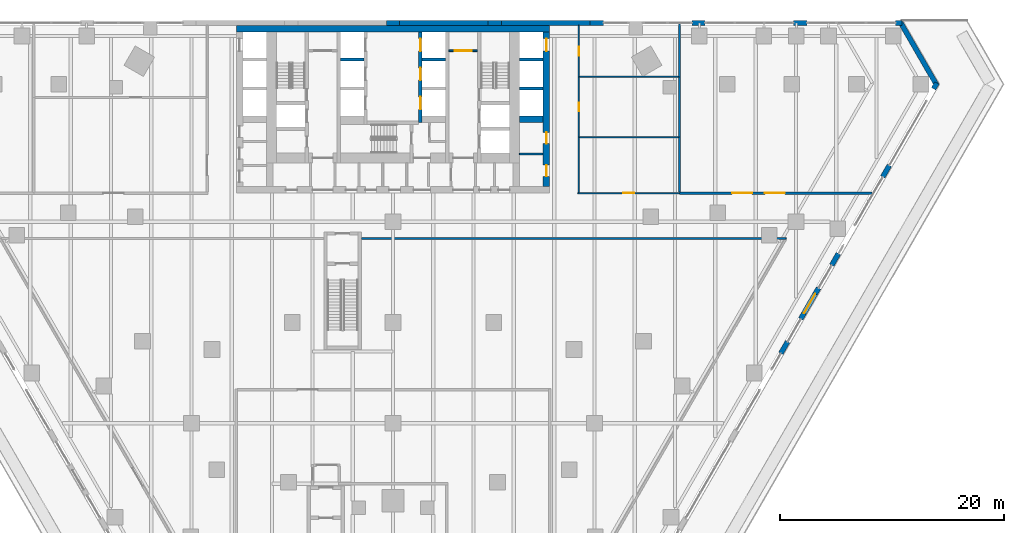
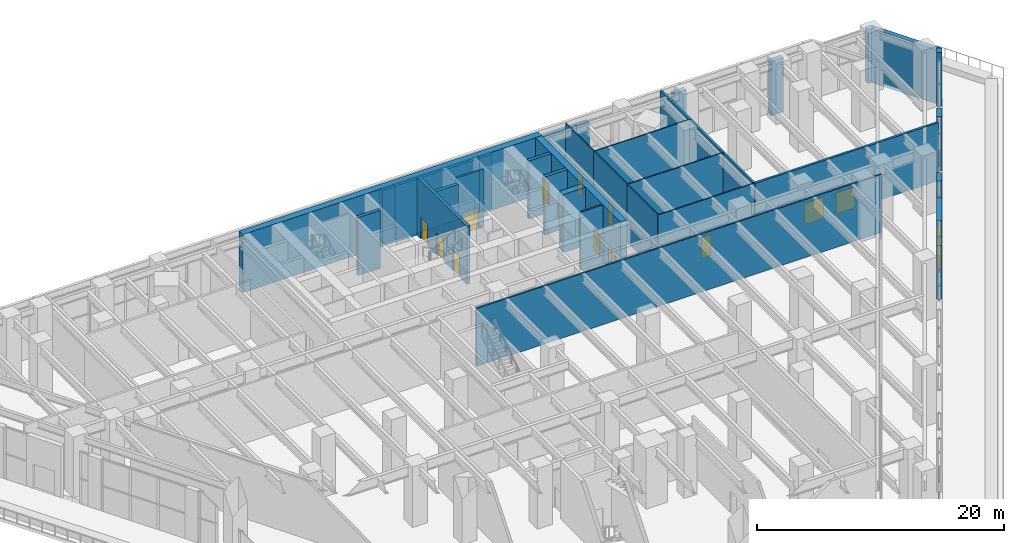
# One storey, part 33 of 40: 35 walls, 13 doors, 13 openings.
"""IFC4 building model written with IfcOpenShell, lengths in metres."""

from ifc_helpers import new_model, si_unit, direction, frame, frame_2d, origin, place, context, subcontext, project, spatial, polyline, rectangle, outline, extrude, material, layer, layer_set, type_object, element, fill, save


model = new_model("IFC4")

# Units and contexts
model_context = context("Model", 3, precision=1e-05, world=origin(), true_north=direction((0.0, 1.0)))
body_context = subcontext(model_context, "Body", "Model", "MODEL_VIEW")
ifc_project = project(units=[si_unit("LENGTHUNIT", "METRE"), si_unit("AREAUNIT", "SQUARE_METRE"), si_unit("VOLUMEUNIT", "CUBIC_METRE"), si_unit("PLANEANGLEUNIT", "RADIAN"), si_unit("MASSUNIT", "GRAM", prefix="KILO")], contexts=[model_context])

# Site, building, storey
site_placement = place(None, origin())
site = spatial("IfcSite", under=ifc_project, at=site_placement, CompositionType="ELEMENT")
building_placement = place(site_placement, origin())
building = spatial("IfcBuilding", under=site, at=building_placement, Name="Aloe Facet Convention Tower", CompositionType="ELEMENT")
storey_placement = place(building_placement, frame((0.0, 0.0, 13.5)))
storey = spatial("IfcBuildingStorey", under=building, at=storey_placement, Name="L02", CompositionType="ELEMENT", Elevation=13.5)

# Wall, opening, door
ifc_material_1 = material(Name="Concrete blockwork partition", Category="masonry")
ifc_layer_1 = layer(ifc_material_1, 0.14990234375)
ifc_layer_set_1 = layer_set([ifc_layer_1], Name="CR-W-PART150")
wall_type_1 = type_object("IfcWallType", Name="CR-W-PART150", PredefinedType="PARTITIONING", material=ifc_layer_set_1)
wall_1_placement = place(storey_placement, frame((85.0, 132.27490234375, 0.0), z_axis=(0.0, 0.0, 1.0), x_axis=(1.0, 0.0, 0.0)))
wall_1 = element("IfcWall", 1, at=wall_1_placement, inside=storey, type_object=wall_type_1, Name="Core partition L02-039", PredefinedType="PARTITIONING", context=body_context, shape_type="SweptSolid", body=[
    extrude(rectangle(XDim=2.550048828125, YDim=0.14990234375, at=frame_2d((1.27490234375, 0.0))), origin(), (0.0, 0.0, 1.0), 5.75),
])
opening_1_placement = place(wall_1_placement, frame((0.52490234375, 0.0, 0.0)))
opening_1 = element("IfcOpeningElement", 2, at=opening_1_placement, cuts=wall_1, Name="Opening L02-CD20", PredefinedType="OPENING", context=body_context, shape_type="SweptSolid", body=[
    extrude(rectangle(XDim=1.5, YDim=2.10009765625, at=frame_2d((0.75, 1.050048828125))), frame((0.0, 0.0849609375, 0.0), z_axis=(0.0, -1.0, 0.0), x_axis=(1.0, 0.0, 0.0)), (0.0, 0.0, 1.0), 0.169921875),
])
ifc_material_2 = material(Name="Steel fire-resisting door set FD60", Category="steel")
door_type_1 = type_object("IfcDoorType", Name="CR-D-REFUGE-1500-FD60-DD", OperationType="DOUBLE_DOOR_DOUBLE_SWING", PredefinedType="DOOR", material=ifc_material_2)
door_1_placement = place(opening_1_placement, origin())
door_1 = element("IfcDoor", 3, at=door_1_placement, inside=storey, type_object=door_type_1, Name="Core door L02-CD20", OperationType="DOUBLE_DOOR_DOUBLE_SWING", OverallHeight=2.10009765625, OverallWidth=1.5, PredefinedType="DOOR", context=body_context, shape_type="SweptSolid", body=[
    extrude(rectangle(XDim=1.5, YDim=2.10009765625, at=frame_2d((0.75, 1.050048828125))), frame((0.0, 0.02490234375, 0.0), z_axis=(0.0, -1.0, 0.0), x_axis=(1.0, 0.0, 0.0)), (0.0, 0.0, 1.0), 0.050048828125),
])
fill(opening_1, door_1)

# Walls
wall_2_placement = place(storey_placement, frame((91.300048828125, 123.048583984375, 0.0), z_axis=(0.0, 0.0, 1.0), x_axis=(1.0, 0.0, 0.0)))
element("IfcWall", 4, at=wall_2_placement, inside=storey, type_object=wall_type_1, Name="Core partition L02-053", PredefinedType="PARTITIONING", context=body_context, shape_type="SweptSolid", body=[
    extrude(rectangle(XDim=2.099853515625, YDim=0.14990234375, at=frame_2d((1.0498046875, 0.0))), origin(), (0.0, 0.0, 1.0), 5.75),
])
ifc_material_3 = material(Name="Concrete C80/95", Category="concrete")
ifc_layer_2 = layer(ifc_material_3, 0.300048828125)
ifc_layer_set_2 = layer_set([ifc_layer_2], Name="CR-W-RC300-C8095")
wall_type_2 = type_object("IfcWallType", Name="CR-W-RC300-C8095", PredefinedType="SOLIDWALL", material=ifc_layer_set_2)
wall_3_placement = place(storey_placement, frame((75.300048828125, 131.5, 0.0), z_axis=(0.0, 0.0, 1.0), x_axis=(1.0, 0.0, 0.0)))
element("IfcWall", 5, at=wall_3_placement, inside=storey, type_object=wall_type_2, Name="Core wall L02-020", PredefinedType="SOLIDWALL", context=body_context, shape_type="SweptSolid", body=[
    extrude(rectangle(XDim=2.099853515625, YDim=0.300048828125, at=frame_2d((1.0498046875, 0.0))), origin(), (0.0, 0.0, 1.0), 5.75),
])

# Wall, openings, doors
wall_4_placement = place(storey_placement, frame((82.449951171875, 133.949951171875, 0.0), z_axis=(0.0, 0.0, 1.0), x_axis=(0.0, -1.0, 0.0)))
wall_4 = element("IfcWall", 6, at=wall_4_placement, inside=storey, type_object=wall_type_2, Name="Core wall L02-031", PredefinedType="SOLIDWALL", context=body_context, shape_type="SweptSolid", body=[
    extrude(rectangle(XDim=8.099853515625, YDim=0.300048828125, at=frame_2d((4.0498046875, 0.0))), origin(), (0.0, 0.0, 1.0), 5.75),
])
opening_2_placement = place(wall_4_placement, frame((0.60009765625, 0.0, 0.0)))
opening_2 = element("IfcOpeningElement", 7, at=opening_2_placement, cuts=wall_4, Name="Opening LD-A4-L02", PredefinedType="OPENING", context=body_context, shape_type="SweptSolid", body=[
    extrude(rectangle(XDim=1.10009765625, YDim=2.10009765625, at=frame_2d((0.550048828125, 1.050048828125))), frame((0.0, 0.16015625, 0.0), z_axis=(0.0, -1.0, 0.0), x_axis=(1.0, 0.0, 0.0)), (0.0, 0.0, 1.0), 0.320068359375),
])
opening_3_placement = place(wall_4_placement, frame((3.199951171875, 0.0, 0.0)))
opening_3 = element("IfcOpeningElement", 8, at=opening_3_placement, cuts=wall_4, Name="Opening LD-A5-L02", PredefinedType="OPENING", context=body_context, shape_type="SweptSolid", body=[
    extrude(rectangle(XDim=1.10009765625, YDim=2.10009765625, at=frame_2d((0.550048828125, 1.050048828125))), frame((0.0, 0.16015625, 0.0), z_axis=(0.0, -1.0, 0.0), x_axis=(1.0, 0.0, 0.0)), (0.0, 0.0, 1.0), 0.320068359375),
])
opening_4_placement = place(wall_4_placement, frame((5.800048828125, 0.0, 0.0)))
opening_4 = element("IfcOpeningElement", 9, at=opening_4_placement, cuts=wall_4, Name="Opening LD-A6-L02", PredefinedType="OPENING", context=body_context, shape_type="SweptSolid", body=[
    extrude(rectangle(XDim=1.10009765625, YDim=2.10009765625, at=frame_2d((0.550048828125, 1.050048828125))), frame((0.0, 0.16015625, 0.0), z_axis=(0.0, -1.0, 0.0), x_axis=(1.0, 0.0, 0.0)), (0.0, 0.0, 1.0), 0.320068359375),
])
ifc_material_4 = material(Name="Stainless steel sliding landing door", Category="steel")
door_type_2 = type_object("IfcDoorType", Name="CR-LD-1100-FD60-_LEFT", OperationType="SLIDING_TO_LEFT", PredefinedType="DOOR", material=ifc_material_4)
door_2_placement = place(opening_2_placement, origin())
door_2 = element("IfcDoor", 10, at=door_2_placement, inside=storey, type_object=door_type_2, Name="Landing door A4 L02", OperationType="SLIDING_TO_LEFT", OverallHeight=2.10009765625, OverallWidth=1.10009765625, PredefinedType="DOOR", context=body_context, shape_type="SweptSolid", body=[
    extrude(rectangle(XDim=1.10009765625, YDim=2.10009765625, at=frame_2d((0.550048828125, 1.050048828125))), frame((0.0, 0.02490234375, 0.0), z_axis=(0.0, -1.0, 0.0), x_axis=(1.0, 0.0, 0.0)), (0.0, 0.0, 1.0), 0.050048828125),
])
fill(opening_2, door_2)
door_3_placement = place(opening_3_placement, origin())
door_3 = element("IfcDoor", 11, at=door_3_placement, inside=storey, type_object=door_type_2, Name="Landing door A5 L02", OperationType="SLIDING_TO_LEFT", OverallHeight=2.10009765625, OverallWidth=1.10009765625, PredefinedType="DOOR", context=body_context, shape_type="SweptSolid", body=[
    extrude(rectangle(XDim=1.10009765625, YDim=2.10009765625, at=frame_2d((0.550048828125, 1.050048828125))), frame((0.0, 0.02490234375, 0.0), z_axis=(0.0, -1.0, 0.0), x_axis=(1.0, 0.0, 0.0)), (0.0, 0.0, 1.0), 0.050048828125),
])
fill(opening_3, door_3)
door_4_placement = place(opening_4_placement, origin())
door_4 = element("IfcDoor", 12, at=door_4_placement, inside=storey, type_object=door_type_2, Name="Landing door A6 L02", OperationType="SLIDING_TO_LEFT", OverallHeight=2.10009765625, OverallWidth=1.10009765625, PredefinedType="DOOR", context=body_context, shape_type="SweptSolid", body=[
    extrude(rectangle(XDim=1.10009765625, YDim=2.10009765625, at=frame_2d((0.550048828125, 1.050048828125))), frame((0.0, 0.02490234375, 0.0), z_axis=(0.0, -1.0, 0.0), x_axis=(1.0, 0.0, 0.0)), (0.0, 0.0, 1.0), 0.050048828125),
])
fill(opening_4, door_4)

# Walls
for number, where, z_axis, x_axis, name in (
    (13, (82.60009765625, 131.5, 0.0), (0.0, 0.0, 1.0), (1.0, 0.0, 0.0), "Core wall L02-032"),
    (14, (91.300048828125, 131.5, 0.0), (0.0, 0.0, 1.0), (1.0, 0.0, 0.0), "Core wall L02-050"),
    (15, (91.300048828125, 128.89990234375, 0.0), (0.0, 0.0, 1.0), (1.0, 0.0, 0.0), "Core wall L02-051"),
):
    element("IfcWall", number, at=place(storey_placement, frame(where, z_axis=z_axis, x_axis=x_axis)), inside=storey, type_object=wall_type_2, Name=name, PredefinedType="SOLIDWALL", context=body_context, shape_type="SweptSolid", body=[
        extrude(rectangle(XDim=2.099853515625, YDim=0.300048828125, at=frame_2d((1.0498046875, 0.0))), origin(), (0.0, 0.0, 1.0), 5.75),
    ])
ifc_material_5 = material(Name="Concrete C80/95", Category="concrete")
ifc_layer_3 = layer(ifc_material_5, 0.60009765625)
ifc_layer_set_3 = layer_set([ifc_layer_3], Name="CR-W-RC600-C8095")
wall_type_3 = type_object("IfcWallType", Name="CR-W-RC600-C8095", PredefinedType="SOLIDWALL", material=ifc_layer_set_3)
wall_5_placement = place(storey_placement, frame((66.0, 134.25, 0.0), z_axis=(0.0, 0.0, 1.0), x_axis=(1.0, 0.0, 0.0)))
element("IfcWall", 16, at=wall_5_placement, inside=storey, type_object=wall_type_3, Name="Core wall L02-001", PredefinedType="SOLIDWALL", context=body_context, shape_type="SweptSolid", body=[
    extrude(rectangle(XDim=28.0, YDim=0.60009765625, at=frame_2d((14.0, 0.0))), origin(), (0.0, 0.0, 1.0), 5.75),
])
wall_6_placement = place(storey_placement, frame((91.300048828125, 126.14990234375, 0.0), z_axis=(0.0, 0.0, 1.0), x_axis=(1.0, 0.0, 0.0)))
element("IfcWall", 17, at=wall_6_placement, inside=storey, type_object=wall_type_3, Name="Core wall L02-052", PredefinedType="SOLIDWALL", context=body_context, shape_type="SweptSolid", body=[
    extrude(rectangle(XDim=2.099853515625, YDim=0.60009765625, at=frame_2d((1.0498046875, 0.0))), origin(), (0.0, 0.0, 1.0), 5.75),
])

# Wall, openings, doors
wall_7_placement = place(storey_placement, frame((93.699951171875, 133.949951171875, 0.0), z_axis=(0.0, 0.0, 1.0), x_axis=(0.0, -1.0, 0.0)))
wall_7 = element("IfcWall", 18, at=wall_7_placement, inside=storey, type_object=wall_type_3, Name="Core wall L02-054", PredefinedType="SOLIDWALL", context=body_context, shape_type="SweptSolid", body=[
    extrude(rectangle(XDim=13.800048828125, YDim=0.60009765625, at=frame_2d((6.89990234375, 0.0))), origin(), (0.0, 0.0, 1.0), 5.75),
])
opening_5_placement = place(wall_7_placement, frame((0.60009765625, 0.0, 0.0)))
opening_5 = element("IfcOpeningElement", 19, at=opening_5_placement, cuts=wall_7, Name="Opening LD-A8-L02", PredefinedType="OPENING", context=body_context, shape_type="SweptSolid", body=[
    extrude(rectangle(XDim=1.10009765625, YDim=2.10009765625, at=frame_2d((0.550048828125, 1.050048828125))), frame((0.0, 0.31005859375, 0.0), z_axis=(0.0, -1.0, 0.0), x_axis=(1.0, 0.0, 0.0)), (0.0, 0.0, 1.0), 0.6201171875),
])
opening_6_placement = place(wall_7_placement, frame((8.963134765625, 0.0, 0.0)))
opening_6 = element("IfcOpeningElement", 20, at=opening_6_placement, cuts=wall_7, Name="Opening L02-CD09", PredefinedType="OPENING", context=body_context, shape_type="SweptSolid", body=[
    extrude(rectangle(XDim=1.0, YDim=2.10009765625, at=frame_2d((0.5, 1.050048828125))), frame((0.0, 0.31005859375, 0.0), z_axis=(0.0, -1.0, 0.0), x_axis=(1.0, 0.0, 0.0)), (0.0, 0.0, 1.0), 0.6201171875),
])
opening_7_placement = place(wall_7_placement, frame((11.88818359375, 0.0, 0.0)))
opening_7 = element("IfcOpeningElement", 21, at=opening_7_placement, cuts=wall_7, Name="Opening L02-CD10", PredefinedType="OPENING", context=body_context, shape_type="SweptSolid", body=[
    extrude(rectangle(XDim=1.0, YDim=2.10009765625, at=frame_2d((0.5, 1.050048828125))), frame((0.0, 0.31005859375, 0.0), z_axis=(0.0, -1.0, 0.0), x_axis=(1.0, 0.0, 0.0)), (0.0, 0.0, 1.0), 0.6201171875),
])
ifc_material_6 = material(Name="Steel fire-resisting door set FD60", Category="steel")
door_type_3 = type_object("IfcDoorType", Name="CR-D-ROOM-1000-FD60-SLEFT", OperationType="SINGLE_SWING_LEFT", PredefinedType="DOOR", material=ifc_material_6)
door_5_placement = place(opening_6_placement, origin())
door_5 = element("IfcDoor", 22, at=door_5_placement, inside=storey, type_object=door_type_3, Name="Core door L02-CD09", OperationType="SINGLE_SWING_LEFT", OverallHeight=2.10009765625, OverallWidth=1.0, PredefinedType="DOOR", context=body_context, shape_type="SweptSolid", body=[
    extrude(rectangle(XDim=1.0, YDim=2.10009765625, at=frame_2d((0.5, 1.050048828125))), frame((0.0, 0.02490234375, 0.0), z_axis=(0.0, -1.0, 0.0), x_axis=(1.0, 0.0, 0.0)), (0.0, 0.0, 1.0), 0.050048828125),
])
fill(opening_6, door_5)
door_6_placement = place(opening_7_placement, origin())
door_6 = element("IfcDoor", 23, at=door_6_placement, inside=storey, type_object=door_type_3, Name="Core door L02-CD10", OperationType="SINGLE_SWING_LEFT", OverallHeight=2.10009765625, OverallWidth=1.0, PredefinedType="DOOR", context=body_context, shape_type="SweptSolid", body=[
    extrude(rectangle(XDim=1.0, YDim=2.10009765625, at=frame_2d((0.5, 1.050048828125))), frame((0.0, 0.02490234375, 0.0), z_axis=(0.0, -1.0, 0.0), x_axis=(1.0, 0.0, 0.0)), (0.0, 0.0, 1.0), 0.050048828125),
])
fill(opening_7, door_6)
door_7_placement = place(opening_5_placement, origin())
door_7 = element("IfcDoor", 24, at=door_7_placement, inside=storey, type_object=door_type_2, Name="Landing door A8 L02", OperationType="SLIDING_TO_LEFT", OverallHeight=2.10009765625, OverallWidth=1.10009765625, PredefinedType="DOOR", context=body_context, shape_type="SweptSolid", body=[
    extrude(rectangle(XDim=1.10009765625, YDim=2.10009765625, at=frame_2d((0.550048828125, 1.050048828125))), frame((0.0, 0.02490234375, 0.0), z_axis=(0.0, -1.0, 0.0), x_axis=(1.0, 0.0, 0.0)), (0.0, 0.0, 1.0), 0.050048828125),
])
fill(opening_5, door_7)

# Walls
ifc_material_7 = material(Name="Precast concrete C40/50", Category="concrete")
ifc_layer_4 = layer(ifc_material_7, 0.449951171875)
ifc_layer_set_4 = layer_set([ifc_layer_4], Name="EV-WALL-PIER")
wall_type_4 = type_object("IfcWallType", Name="EV-WALL-PIER", PredefinedType="SOLIDWALL", material=ifc_layer_set_4)
wall_8_placement = place(storey_placement, frame((0.0, 0.0, -0.300048828125)))
element("IfcWall", 25, at=wall_8_placement, inside=storey, type_object=wall_type_4, Name="EP-L02-C", PredefinedType="SOLIDWALL", context=body_context, shape_type="SweptSolid", body=[
    extrude(outline(polyline([(128.7939453125, 129.2841796875), (128.404296875, 129.50927734375), (128.2744140625, 129.2841796875), (125.234130859375, 134.550048828125), (125.493896484375, 134.550048828125), (125.493896484375, 135.0), (128.7939453125, 129.2841796875)])), origin(), (0.0, 0.0, 1.0), 5.362548828125),
])
ifc_material_8 = material(Name="Precast concrete C40/50", Category="concrete")
ifc_layer_5 = layer(ifc_material_8, 0.449951171875)
ifc_layer_set_5 = layer_set([ifc_layer_5], Name="EV-WALL-STONE")
wall_type_5 = type_object("IfcWallType", Name="EV-WALL-STONE", PredefinedType="SOLIDWALL", material=ifc_layer_set_5)
wall_9_placement = place(storey_placement, frame((125.493896484375, 134.77490234375, -0.300048828125), z_axis=(0.0, 0.0, 1.0), x_axis=(-1.0, 0.0, 0.0)))
element("IfcWall", 26, at=wall_9_placement, inside=storey, type_object=wall_type_5, Name="PW-L02-N01", PredefinedType="SOLIDWALL", context=body_context, shape_type="SweptSolid", body=[
    extrude(rectangle(XDim=0.599853515625, YDim=0.449951171875, at=frame_2d((0.2998046875, 0.0))), origin(), (0.0, 0.0, 1.0), 5.362548828125),
])
wall_10_placement = place(storey_placement, frame((116.9951171875, 134.77490234375, -0.300048828125), z_axis=(0.0, 0.0, 1.0), x_axis=(-1.0, 0.0, 0.0)))
element("IfcWall", 27, at=wall_10_placement, inside=storey, type_object=wall_type_5, Name="PW-L02-N03", PredefinedType="SOLIDWALL", context=body_context, shape_type="SweptSolid", body=[
    extrude(rectangle(XDim=1.199951171875, YDim=0.449951171875, at=frame_2d((0.60009765625, 0.0))), origin(), (0.0, 0.0, 1.0), 5.362548828125),
])
wall_11_placement = place(storey_placement, frame((107.896484375, 134.77490234375, -0.300048828125), z_axis=(0.0, 0.0, 1.0), x_axis=(-1.0, 0.0, 0.0)))
element("IfcWall", 28, at=wall_11_placement, inside=storey, type_object=wall_type_5, Name="PW-L02-N05", PredefinedType="SOLIDWALL", context=body_context, shape_type="SweptSolid", body=[
    extrude(rectangle(XDim=1.2001953125, YDim=0.449951171875, at=frame_2d((0.60009765625, 0.0))), origin(), (0.0, 0.0, 1.0), 5.362548828125),
])
wall_12_placement = place(storey_placement, frame((98.797607421875, 134.77490234375, -0.300048828125), z_axis=(0.0, 0.0, 1.0), x_axis=(-1.0, 0.0, 0.0)))
element("IfcWall", 29, at=wall_12_placement, inside=storey, type_object=wall_type_5, Name="PW-L02-N07", PredefinedType="SOLIDWALL", context=body_context, shape_type="SweptSolid", body=[
    extrude(rectangle(XDim=1.199951171875, YDim=0.449951171875, at=frame_2d((0.60009765625, 0.0))), origin(), (0.0, 0.0, 1.0), 5.362548828125),
])
wall_13_placement = place(storey_placement, frame((97.59765625, 134.77490234375, -0.300048828125), z_axis=(0.0, 0.0, 1.0), x_axis=(-1.0, 0.0, 0.0)))
element("IfcWall", 30, at=wall_13_placement, inside=storey, type_object=wall_type_5, Name="PW-L02-N08", PredefinedType="SOLIDWALL", context=body_context, shape_type="SweptSolid", body=[
    extrude(rectangle(XDim=7.89892578125, YDim=0.449951171875, at=frame_2d((3.949462890625, 0.0))), origin(), (0.0, 0.0, 1.0), 5.362548828125),
])
wall_14_placement = place(storey_placement, frame((89.69873046875, 134.77490234375, -0.300048828125), z_axis=(0.0, 0.0, 1.0), x_axis=(-1.0, 0.0, 0.0)))
element("IfcWall", 31, at=wall_14_placement, inside=storey, type_object=wall_type_5, Name="PW-L02-N09", PredefinedType="SOLIDWALL", context=body_context, shape_type="SweptSolid", body=[
    extrude(rectangle(XDim=1.199951171875, YDim=0.449951171875, at=frame_2d((0.60009765625, 0.0))), origin(), (0.0, 0.0, 1.0), 5.362548828125),
])
wall_15_placement = place(storey_placement, frame((88.498779296875, 134.77490234375, -0.300048828125), z_axis=(0.0, 0.0, 1.0), x_axis=(-1.0, 0.0, 0.0)))
element("IfcWall", 32, at=wall_15_placement, inside=storey, type_object=wall_type_5, Name="PW-L02-N10", PredefinedType="SOLIDWALL", context=body_context, shape_type="SweptSolid", body=[
    extrude(rectangle(XDim=7.898681640625, YDim=0.449951171875, at=frame_2d((3.94921875, 0.0))), origin(), (0.0, 0.0, 1.0), 5.362548828125),
])
wall_16_placement = place(storey_placement, frame((80.60009765625, 134.77490234375, -0.300048828125), z_axis=(0.0, 0.0, 1.0), x_axis=(-1.0, 0.0, 0.0)))
element("IfcWall", 33, at=wall_16_placement, inside=storey, type_object=wall_type_5, Name="PW-L02-N11", PredefinedType="SOLIDWALL", context=body_context, shape_type="SweptSolid", body=[
    extrude(rectangle(XDim=1.2001953125, YDim=0.449951171875, at=frame_2d((0.60009765625, 0.0))), origin(), (0.0, 0.0, 1.0), 5.362548828125),
])
wall_17_placement = place(storey_placement, frame((114.65087890625, 105.23779296875, -0.300048828125), z_axis=(0.0, 0.0, 1.0), x_axis=(0.50012165622, 0.865955154139, 0.0)))
element("IfcWall", 34, at=wall_17_placement, inside=storey, type_object=wall_type_5, Name="PW-L02-E15", PredefinedType="SOLIDWALL", context=body_context, shape_type="SweptSolid", body=[
    extrude(rectangle(XDim=1.199951171875, YDim=0.449951171875, at=frame_2d((0.60009765625, 0.0))), origin(), (0.0, 0.0, 1.0), 5.362548828125),
])

# Wall, opening, door
wall_18_placement = place(storey_placement, frame((116.425537109375, 108.3115234375, -0.300048828125), z_axis=(0.0, 0.0, 1.0), x_axis=(0.499995408039, 0.866028054938, 0.0)))
wall_18 = element("IfcWall", 35, at=wall_18_placement, inside=storey, type_object=wall_type_5, Name="PW-L02-E16", PredefinedType="SOLIDWALL", context=body_context, shape_type="SweptSolid", body=[
    extrude(rectangle(XDim=3.2001953125, YDim=0.449951171875, at=frame_2d((1.60009765625, 0.0))), origin(), (0.0, 0.0, 1.0), 5.362548828125),
])
opening_8_placement = place(wall_18_placement, frame((0.60009765625, 0.0, 0.300048828125)))
opening_8 = element("IfcOpeningElement", 36, at=opening_8_placement, cuts=wall_18, Name="Opening D-L02-E16", PredefinedType="OPENING", context=body_context, shape_type="SweptSolid", body=[
    extrude(rectangle(XDim=2.0, YDim=2.39990234375, at=frame_2d((1.0, 1.199951171875))), frame((0.0, 0.23486328125, 0.0), z_axis=(0.0, -1.0, 0.0), x_axis=(1.0, 0.0, 0.0)), (0.0, 0.0, 1.0), 0.469970703125),
])
ifc_material_9 = material(Name="Aluminium frame, clear double glazing", Category="aluminium")
door_type_4 = type_object("IfcDoorType", Name="EV-DOOR-HALL", OperationType="DOUBLE_DOOR_SINGLE_SWING", PredefinedType="DOOR", material=ifc_material_9)
door_8_placement = place(opening_8_placement, origin())
door_8 = element("IfcDoor", 37, at=door_8_placement, inside=storey, type_object=door_type_4, Name="D-L02-E16", OperationType="DOUBLE_DOOR_SINGLE_SWING", OverallHeight=2.39990234375, OverallWidth=2.0, PredefinedType="DOOR", context=body_context, shape_type="SweptSolid", body=[
    extrude(rectangle(XDim=2.0, YDim=2.39990234375, at=frame_2d((1.0, 1.199951171875))), frame((0.0, 0.02490234375, 0.0), z_axis=(0.0, -1.0, 0.0), x_axis=(1.0, 0.0, 0.0)), (0.0, 0.0, 1.0), 0.050048828125),
])
fill(opening_8, door_8)

# Walls
wall_19_placement = place(storey_placement, frame((119.200439453125, 113.117431640625, -0.300048828125), z_axis=(0.0, 0.0, 1.0), x_axis=(0.499880961361, 0.866094119867, 0.0)))
element("IfcWall", 38, at=wall_19_placement, inside=storey, type_object=wall_type_5, Name="PW-L02-E17", PredefinedType="SOLIDWALL", context=body_context, shape_type="SweptSolid", body=[
    extrude(rectangle(XDim=1.199951171875, YDim=0.449951171875, at=frame_2d((0.60009765625, 0.0))), origin(), (0.0, 0.0, 1.0), 5.362548828125),
])
wall_20_placement = place(storey_placement, frame((123.749755859375, 120.997314453125, -0.300048828125), z_axis=(0.0, 0.0, 1.0), x_axis=(0.500033551112, 0.866006032174, 0.0)))
element("IfcWall", 39, at=wall_20_placement, inside=storey, type_object=wall_type_5, Name="PW-L02-E19", PredefinedType="SOLIDWALL", context=body_context, shape_type="SweptSolid", body=[
    extrude(rectangle(XDim=1.2001953125, YDim=0.449951171875, at=frame_2d((0.60009765625, 0.0))), origin(), (0.0, 0.0, 1.0), 5.362548828125),
])
wall_21_placement = place(storey_placement, frame((128.299072265625, 128.877197265625, -0.300048828125), z_axis=(0.0, 0.0, 1.0), x_axis=(0.50012165622, 0.865955154139, 0.0)))
element("IfcWall", 40, at=wall_21_placement, inside=storey, type_object=wall_type_5, Name="PW-L02-E21", PredefinedType="SOLIDWALL", context=body_context, shape_type="SweptSolid", body=[
    extrude(rectangle(XDim=0.599853515625, YDim=0.449951171875, at=frame_2d((0.2998046875, 0.0))), origin(), (0.0, 0.0, 1.0), 5.362548828125),
])

# Wall, openings, doors
ifc_material_10 = material(Name="Masonry blockwork wall, plastered", Category="masonry")
ifc_layer_6 = layer(ifc_material_10, 0.199951171875)
ifc_layer_set_6 = layer_set([ifc_layer_6], Name="IN-POD-W-ASSY")
wall_type_6 = type_object("IfcWallType", Name="IN-POD-W-ASSY", PredefinedType="PARTITIONING", material=ifc_layer_set_6)
wall_22_placement = place(storey_placement, frame((105.590087890625, 119.550048828125, 0.0), z_axis=(0.0, 0.0, 1.0), x_axis=(1.0, 0.0, 0.0)))
wall_22 = element("IfcWall", 41, at=wall_22_placement, inside=storey, type_object=wall_type_6, Name="Partition L02-W030", PredefinedType="PARTITIONING", context=body_context, shape_type="SweptSolid", body=[
    extrude(rectangle(XDim=17.211669921875, YDim=0.199951171875, at=frame_2d((8.60595703125, 0.0))), origin(), (0.0, 0.0, 1.0), 5.75),
])
opening_9_placement = place(wall_22_placement, frame((7.632080078125, 0.0, 0.0)))
opening_9 = element("IfcOpeningElement", 42, at=opening_9_placement, cuts=wall_22, Name="Opening L02-004", PredefinedType="OPENING", context=body_context, shape_type="SweptSolid", body=[
    extrude(rectangle(XDim=1.800048828125, YDim=2.10009765625, at=frame_2d((0.89990234375, 1.050048828125))), frame((0.0, 0.10986328125, 0.0), z_axis=(0.0, -1.0, 0.0), x_axis=(1.0, 0.0, 0.0)), (0.0, 0.0, 1.0), 0.219970703125),
])
opening_10_placement = place(wall_22_placement, frame((4.69921875, 0.0, 0.0)))
opening_10 = element("IfcOpeningElement", 43, at=opening_10_placement, cuts=wall_22, Name="Opening L02-005", PredefinedType="OPENING", context=body_context, shape_type="SweptSolid", body=[
    extrude(rectangle(XDim=1.800048828125, YDim=2.10009765625, at=frame_2d((0.89990234375, 1.050048828125))), frame((0.0, 0.10986328125, 0.0), z_axis=(0.0, -1.0, 0.0), x_axis=(1.0, 0.0, 0.0)), (0.0, 0.0, 1.0), 0.219970703125),
])
ifc_material_11 = material(Name="Hardwood flush door pair", Category="wood")
door_type_5 = type_object("IfcDoorType", Name="IN-POD-D-PAIR", OperationType="DOUBLE_DOOR_SINGLE_SWING", PredefinedType="DOOR", material=ifc_material_11)
door_9_placement = place(opening_9_placement, origin())
door_9 = element("IfcDoor", 44, at=door_9_placement, inside=storey, type_object=door_type_5, Name="Door L02-004", OperationType="SINGLE_SWING_LEFT", OverallHeight=2.10009765625, OverallWidth=1.800048828125, PredefinedType="DOOR", context=body_context, shape_type="SweptSolid", body=[
    extrude(rectangle(XDim=1.800048828125, YDim=2.10009765625, at=frame_2d((0.89990234375, 1.050048828125))), frame((0.0, 0.02490234375, 0.0), z_axis=(0.0, -1.0, 0.0), x_axis=(1.0, 0.0, 0.0)), (0.0, 0.0, 1.0), 0.050048828125),
])
fill(opening_9, door_9)
door_10_placement = place(opening_10_placement, origin())
door_10 = element("IfcDoor", 45, at=door_10_placement, inside=storey, type_object=door_type_5, Name="Door L02-005", OperationType="SINGLE_SWING_LEFT", OverallHeight=2.10009765625, OverallWidth=1.800048828125, PredefinedType="DOOR", context=body_context, shape_type="SweptSolid", body=[
    extrude(rectangle(XDim=1.800048828125, YDim=2.10009765625, at=frame_2d((0.89990234375, 1.050048828125))), frame((0.0, 0.02490234375, 0.0), z_axis=(0.0, -1.0, 0.0), x_axis=(1.0, 0.0, 0.0)), (0.0, 0.0, 1.0), 0.050048828125),
])
fill(opening_10, door_10)

# Walls
wall_23_placement = place(storey_placement, frame((105.590087890625, 119.635009765625, 0.0), z_axis=(0.0, 0.0, 1.0), x_axis=(0.002036554489, 0.999997926221, 0.0)))
element("IfcWall", 46, at=wall_23_placement, inside=storey, type_object=wall_type_6, Name="Partition L02-W031", PredefinedType="PARTITIONING", context=body_context, shape_type="SweptSolid", body=[
    extrude(rectangle(XDim=4.9150390625, YDim=0.199951171875, at=frame_2d((2.45751953125, 0.0))), origin(), (0.0, 0.0, 1.0), 5.75),
])
wall_24_placement = place(storey_placement, frame((105.60009765625, 124.550048828125, 0.0), z_axis=(0.0, 0.0, 1.0), x_axis=(0.0, 1.0, 0.0)))
element("IfcWall", 47, at=wall_24_placement, inside=storey, type_object=wall_type_6, Name="Partition L02-W033", PredefinedType="PARTITIONING", context=body_context, shape_type="SweptSolid", body=[
    extrude(rectangle(XDim=5.39990234375, YDim=0.199951171875, at=frame_2d((2.699951171875, 0.0))), origin(), (0.0, 0.0, 1.0), 5.75),
])
wall_25_placement = place(storey_placement, frame((105.60009765625, 129.949951171875, 0.0), z_axis=(0.0, 0.0, 1.0), x_axis=(0.0, 1.0, 0.0)))
element("IfcWall", 48, at=wall_25_placement, inside=storey, type_object=wall_type_6, Name="Partition L02-W039", PredefinedType="PARTITIONING", context=body_context, shape_type="SweptSolid", body=[
    extrude(rectangle(XDim=4.72509765625, YDim=0.199951171875, at=frame_2d((2.362548828125, 0.0))), origin(), (0.0, 0.0, 1.0), 5.75),
])
ifc_material_12 = material(Name="Gypsum board partition on steel studs, double layer", Category="steel")
ifc_layer_7 = layer(ifc_material_12, 0.14990234375)
ifc_layer_set_7 = layer_set([ifc_layer_7], Name="IN-POD-W-CORR")
wall_type_7 = type_object("IfcWallType", Name="IN-POD-W-CORR", PredefinedType="PARTITIONING", material=ifc_layer_set_7)
wall_26_placement = place(storey_placement, frame((77.195068359375, 115.5, 0.0), z_axis=(0.0, 0.0, 1.0), x_axis=(1.0, 0.0, 0.0)))
element("IfcWall", 49, at=wall_26_placement, inside=storey, type_object=wall_type_7, Name="Partition L02-W023", PredefinedType="PARTITIONING", context=body_context, shape_type="SweptSolid", body=[
    extrude(rectangle(XDim=37.9248046875, YDim=0.14990234375, at=frame_2d((18.96240234375, 0.0))), origin(), (0.0, 0.0, 1.0), 5.75),
])

# Wall, opening, door
ifc_material_13 = material(Name="Gypsum board partition on steel studs, moisture resistant", Category="steel")
ifc_layer_8 = layer(ifc_material_13, 0.10009765625)
ifc_layer_set_8 = layer_set([ifc_layer_8], Name="IN-POD-W-WET")
wall_type_8 = type_object("IfcWallType", Name="IN-POD-W-WET", PredefinedType="PARTITIONING", material=ifc_layer_set_8)
wall_27_placement = place(storey_placement, frame((96.525390625, 119.550048828125, 0.0), z_axis=(0.0, 0.0, 1.0), x_axis=(1.0, 0.0, 0.0)))
wall_27 = element("IfcWall", 50, at=wall_27_placement, inside=storey, type_object=wall_type_8, Name="Partition L02-W029", PredefinedType="PARTITIONING", context=body_context, shape_type="SweptSolid", body=[
    extrude(rectangle(XDim=9.064697265625, YDim=0.10009765625, at=frame_2d((4.5322265625, 0.0))), origin(), (0.0, 0.0, 1.0), 5.75),
])
opening_11_placement = place(wall_27_placement, frame((4.05712890625, 0.0, 0.0)))
opening_11 = element("IfcOpeningElement", 51, at=opening_11_placement, cuts=wall_27, Name="Opening L02-001", PredefinedType="OPENING", context=body_context, shape_type="SweptSolid", body=[
    extrude(rectangle(XDim=0.949951171875, YDim=2.10009765625, at=frame_2d((0.47509765625, 1.050048828125))), frame((0.0, 0.06005859375, 0.0), z_axis=(0.0, -1.0, 0.0), x_axis=(1.0, 0.0, 0.0)), (0.0, 0.0, 1.0), 0.1201171875),
])
ifc_material_14 = material(Name="Hardwood flush door, 950 mm clear leaf", Category="wood")
door_type_6 = type_object("IfcDoorType", Name="IN-POD-D-ACC", OperationType="SINGLE_SWING_LEFT", PredefinedType="DOOR", material=ifc_material_14)
door_11_placement = place(opening_11_placement, origin())
door_11 = element("IfcDoor", 52, at=door_11_placement, inside=storey, type_object=door_type_6, Name="Door L02-001", OperationType="SINGLE_SWING_LEFT", OverallHeight=2.10009765625, OverallWidth=0.949951171875, PredefinedType="DOOR", context=body_context, shape_type="SweptSolid", body=[
    extrude(rectangle(XDim=0.949951171875, YDim=2.10009765625, at=frame_2d((0.47509765625, 1.050048828125))), frame((0.0, 0.02490234375, 0.0), z_axis=(0.0, -1.0, 0.0), x_axis=(1.0, 0.0, 0.0)), (0.0, 0.0, 1.0), 0.050048828125),
])
fill(opening_11, door_11)

# Walls
wall_28_placement = place(storey_placement, frame((96.675048828125, 124.550048828125, 0.0), z_axis=(0.0, 0.0, 1.0), x_axis=(1.0, 0.0, 0.0)))
element("IfcWall", 53, at=wall_28_placement, inside=storey, type_object=wall_type_8, Name="Partition L02-W032", PredefinedType="PARTITIONING", context=body_context, shape_type="SweptSolid", body=[
    extrude(rectangle(XDim=8.824951171875, YDim=0.10009765625, at=frame_2d((4.41259765625, 0.0))), origin(), (0.0, 0.0, 1.0), 5.75),
])
wall_29_placement = place(storey_placement, frame((96.6005859375, 119.625, 0.0), z_axis=(0.0, 0.0, 1.0), x_axis=(-9.9142418e-05, 0.999999995085, 0.0)))
element("IfcWall", 54, at=wall_29_placement, inside=storey, type_object=wall_type_8, Name="Partition L02-W034", PredefinedType="PARTITIONING", context=body_context, shape_type="SweptSolid", body=[
    extrude(rectangle(XDim=4.925048828125, YDim=0.10009765625, at=frame_2d((2.46240234375, 0.0))), origin(), (0.0, 0.0, 1.0), 5.75),
])
wall_30_placement = place(storey_placement, frame((96.675048828125, 129.949951171875, 0.0), z_axis=(0.0, 0.0, 1.0), x_axis=(1.0, 0.0, 0.0)))
element("IfcWall", 55, at=wall_30_placement, inside=storey, type_object=wall_type_8, Name="Partition L02-W038", PredefinedType="PARTITIONING", context=body_context, shape_type="SweptSolid", body=[
    extrude(rectangle(XDim=8.824951171875, YDim=0.10009765625, at=frame_2d((4.41259765625, 0.0))), origin(), (0.0, 0.0, 1.0), 5.75),
])

# Wall, opening, door
wall_31_placement = place(storey_placement, frame((96.60009765625, 124.550048828125, 0.0), z_axis=(0.0, 0.0, 1.0), x_axis=(0.0, 1.0, 0.0)))
wall_31 = element("IfcWall", 56, at=wall_31_placement, inside=storey, type_object=wall_type_8, Name="Partition L02-W040", PredefinedType="PARTITIONING", context=body_context, shape_type="SweptSolid", body=[
    extrude(rectangle(XDim=5.39990234375, YDim=0.10009765625, at=frame_2d((2.699951171875, 0.0))), origin(), (0.0, 0.0, 1.0), 5.75),
])
opening_12_placement = place(wall_31_placement, frame((2.300048828125, 0.0, 0.0)))
opening_12 = element("IfcOpeningElement", 57, at=opening_12_placement, cuts=wall_31, Name="Opening L02-002", PredefinedType="OPENING", context=body_context, shape_type="SweptSolid", body=[
    extrude(rectangle(XDim=0.800048828125, YDim=2.10009765625, at=frame_2d((0.39990234375, 1.050048828125))), frame((0.0, 0.06005859375, 0.0), z_axis=(0.0, -1.0, 0.0), x_axis=(1.0, 0.0, 0.0)), (0.0, 0.0, 1.0), 0.1201171875),
])
ifc_material_15 = material(Name="Timber flush door", Category="wood")
door_type_7 = type_object("IfcDoorType", Name="IN-POD-D-WC", OperationType="SINGLE_SWING_LEFT", PredefinedType="DOOR", material=ifc_material_15)
door_12_placement = place(opening_12_placement, origin())
door_12 = element("IfcDoor", 58, at=door_12_placement, inside=storey, type_object=door_type_7, Name="Door L02-002", OperationType="SINGLE_SWING_LEFT", OverallHeight=2.10009765625, OverallWidth=0.800048828125, PredefinedType="DOOR", context=body_context, shape_type="SweptSolid", body=[
    extrude(rectangle(XDim=0.800048828125, YDim=2.10009765625, at=frame_2d((0.39990234375, 1.050048828125))), frame((0.0, 0.02490234375, 0.0), z_axis=(0.0, -1.0, 0.0), x_axis=(1.0, 0.0, 0.0)), (0.0, 0.0, 1.0), 0.050048828125),
])
fill(opening_12, door_12)

wall_32_placement = place(storey_placement, frame((96.60009765625, 129.949951171875, 0.0), z_axis=(0.0, 0.0, 1.0), x_axis=(0.0, 1.0, 0.0)))
wall_32 = element("IfcWall", 59, at=wall_32_placement, inside=storey, type_object=wall_type_8, Name="Partition L02-W041", PredefinedType="PARTITIONING", context=body_context, shape_type="SweptSolid", body=[
    extrude(rectangle(XDim=4.60009765625, YDim=0.10009765625, at=frame_2d((2.300048828125, 0.0))), origin(), (0.0, 0.0, 1.0), 5.75),
])
opening_13_placement = place(wall_32_placement, frame((1.89990234375, 0.0, 0.0)))
opening_13 = element("IfcOpeningElement", 60, at=opening_13_placement, cuts=wall_32, Name="Opening L02-003", PredefinedType="OPENING", context=body_context, shape_type="SweptSolid", body=[
    extrude(rectangle(XDim=0.800048828125, YDim=2.10009765625, at=frame_2d((0.39990234375, 1.050048828125))), frame((0.0, 0.06005859375, 0.0), z_axis=(0.0, -1.0, 0.0), x_axis=(1.0, 0.0, 0.0)), (0.0, 0.0, 1.0), 0.1201171875),
])
door_13_placement = place(opening_13_placement, origin())
door_13 = element("IfcDoor", 61, at=door_13_placement, inside=storey, type_object=door_type_7, Name="Door L02-003", OperationType="SINGLE_SWING_LEFT", OverallHeight=2.10009765625, OverallWidth=0.800048828125, PredefinedType="DOOR", context=body_context, shape_type="SweptSolid", body=[
    extrude(rectangle(XDim=0.800048828125, YDim=2.10009765625, at=frame_2d((0.39990234375, 1.050048828125))), frame((0.0, 0.02490234375, 0.0), z_axis=(0.0, -1.0, 0.0), x_axis=(1.0, 0.0, 0.0)), (0.0, 0.0, 1.0), 0.050048828125),
])
fill(opening_13, door_13)

save(model, "model.ifc")
